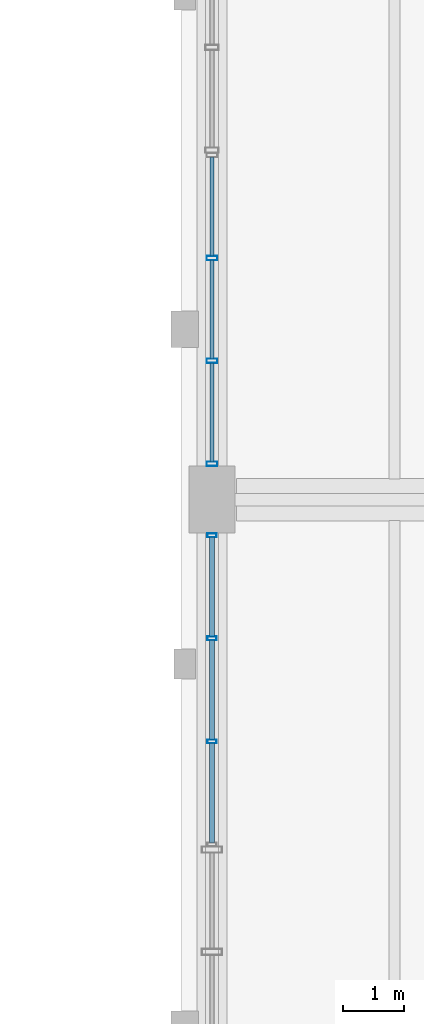
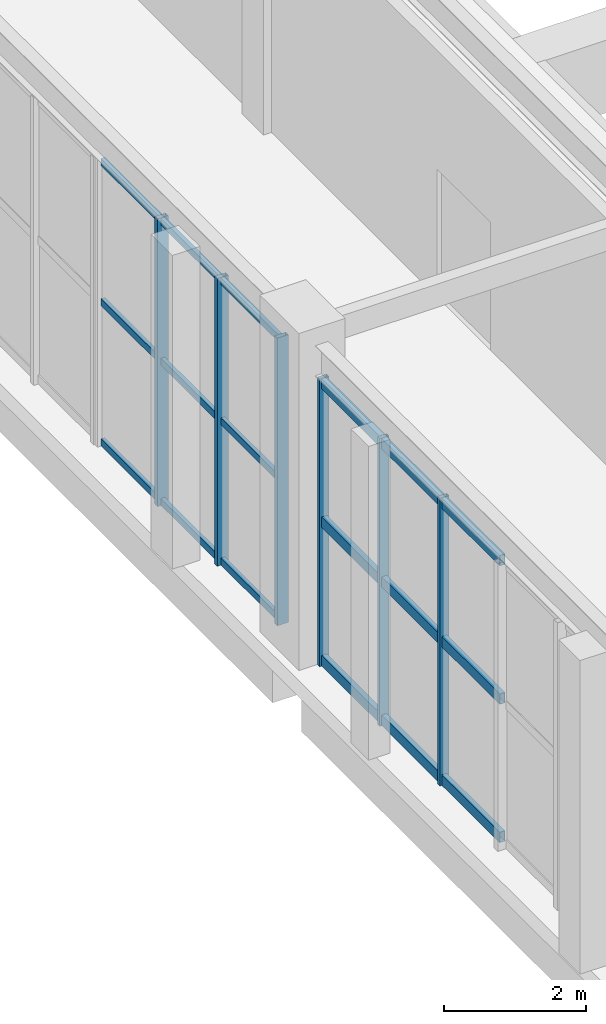
# One storey, part 54 of 113: 24 members, 2 elements without a shape of their own.
"""IFC4 building model written with IfcOpenShell, lengths in metres."""

from ifc_helpers import new_model, si_unit, direction, frame, origin, origin_2d, place, context, subcontext, project, spatial, hollow_rectangle, extrude, material, layer, layer_set, material_profile, profile_set, type_object, element, aggregate, save


model = new_model("IFC4")

# Units and contexts
model_context = context("Model", 3, precision=1e-05, world=origin(), true_north=direction((0.0, 1.0)))
body_context = subcontext(model_context, "Body", "Model", "MODEL_VIEW")
ifc_project = project(units=[si_unit("LENGTHUNIT", "METRE"), si_unit("AREAUNIT", "SQUARE_METRE"), si_unit("VOLUMEUNIT", "CUBIC_METRE"), si_unit("PLANEANGLEUNIT", "RADIAN"), si_unit("MASSUNIT", "GRAM", prefix="KILO"), si_unit("POWERUNIT", "WATT"), si_unit("THERMODYNAMICTEMPERATUREUNIT", "KELVIN")], contexts=[model_context])

# Site, building, storey
site_placement = place(None, origin())
site = spatial("IfcSite", under=ifc_project, at=site_placement, CompositionType="ELEMENT")
building_placement = place(site_placement, origin())
building = spatial("IfcBuilding", under=site, at=building_placement, Name="Kelmbourne Parkland Aquatics Centre", CompositionType="ELEMENT")
storey_placement = place(building_placement, origin())
storey = spatial("IfcBuildingStorey", under=building, at=storey_placement, Name="L00", CompositionType="ELEMENT", Elevation=0.0)

# Curtain wall, members
ifc_material = material(Name="Thermally broken anodised aluminium framing", Category="aluminium")
ifc_layer_1 = layer(ifc_material, 0.179931640625)
ifc_layer_set_1 = layer_set([ifc_layer_1], Name="Thermally broken anodised aluminium framing")
curtain_wall_type_1 = type_object("IfcCurtainWallType", Name="CW-17", PredefinedType="NOTDEFINED", material=ifc_layer_set_1)
curtain_wall_1_placement = place(storey_placement, origin())
curtain_wall_1 = element("IfcCurtainWall", 1, at=curtain_wall_1_placement, inside=storey, type_object=curtain_wall_type_1, Name="Facade curtain wall CW-L00-185", PredefinedType="NOTDEFINED")
ifc_material_profile_1 = material_profile(ifc_material, hollow_rectangle(XDim=0.06494140625, YDim=0.14990234375, WallThickness=0.00390625, at=origin_2d()), Name="CW-M 65x150")
ifc_profile_set_1 = profile_set([ifc_material_profile_1], Name="Thermally broken anodised aluminium framing")
member_type_1 = type_object("IfcMemberType", Name="MB-MUL-1", PredefinedType="MULLION", material=ifc_profile_set_1)
member_1_placement = place(storey_placement, frame((96.0, 65.226806640625, 0.0), z_axis=(0.0, 0.0, 1.0), x_axis=(0.0, 1.0, 0.0)))
member_1 = element("IfcMember", 2, at=member_1_placement, type_object=member_type_1, Name="CW-L00-185 mullion 1", PredefinedType="MULLION", context=body_context, shape_type="SweptSolid", body=[
    extrude(hollow_rectangle(XDim=0.06494140625, YDim=0.14990234375, WallThickness=0.00390625, at=origin_2d()), origin(), (0.0, 0.0, 1.0), 4.951904296875),
])
member_2_placement = place(storey_placement, frame((96.0, 66.921142578125, 0.0), z_axis=(0.0, 0.0, 1.0), x_axis=(0.0, 1.0, 0.0)))
member_2 = element("IfcMember", 3, at=member_2_placement, type_object=member_type_1, Name="CW-L00-185 mullion 2", PredefinedType="MULLION", context=body_context, shape_type="SweptSolid", body=[
    extrude(hollow_rectangle(XDim=0.06494140625, YDim=0.14990234375, WallThickness=0.00390625, at=origin_2d()), origin(), (0.0, 0.0, 1.0), 4.951904296875),
])
member_3_placement = place(storey_placement, frame((96.0, 68.615478515625, 0.0), z_axis=(0.0, 0.0, 1.0), x_axis=(0.0, 1.0, 0.0)))
member_3 = element("IfcMember", 4, at=member_3_placement, type_object=member_type_1, Name="CW-L00-185 mullion 3", PredefinedType="MULLION", context=body_context, shape_type="SweptSolid", body=[
    extrude(hollow_rectangle(XDim=0.06494140625, YDim=0.14990234375, WallThickness=0.00390625, at=origin_2d()), origin(), (0.0, 0.0, 1.0), 4.951904296875),
])

ifc_layer_2 = layer(ifc_material, 0.179931640625)
ifc_layer_set_2 = layer_set([ifc_layer_2], Name="Thermally broken anodised aluminium framing")
curtain_wall_type_2 = type_object("IfcCurtainWallType", Name="CW-18", PredefinedType="NOTDEFINED", material=ifc_layer_set_2)
curtain_wall_2_placement = place(storey_placement, origin())
curtain_wall_2 = element("IfcCurtainWall", 5, at=curtain_wall_2_placement, inside=storey, type_object=curtain_wall_type_2, Name="Facade curtain wall CW-L00-186", PredefinedType="NOTDEFINED")
ifc_material_profile_2 = material_profile(ifc_material, hollow_rectangle(XDim=0.074951171875, YDim=0.179931640625, WallThickness=0.00439453125, at=origin_2d()), Name="CW-M 75x180")
ifc_profile_set_2 = profile_set([ifc_material_profile_2], Name="Thermally broken anodised aluminium framing")
member_type_2 = type_object("IfcMemberType", Name="MB-MUL-2", PredefinedType="MULLION", material=ifc_profile_set_2)
member_4_placement = place(storey_placement, frame((96.0, 69.78955078125, 0.0), z_axis=(0.0, 0.0, 1.0), x_axis=(0.0, 1.0, 0.0)))
member_4 = element("IfcMember", 6, at=member_4_placement, type_object=member_type_2, Name="CW-L00-186 mullion 0", PredefinedType="MULLION", context=body_context, shape_type="SweptSolid", body=[
    extrude(hollow_rectangle(XDim=0.074951171875, YDim=0.179931640625, WallThickness=0.00439453125, at=origin_2d()), origin(), (0.0, 0.0, 1.0), 4.951904296875),
])
member_5_placement = place(storey_placement, frame((96.0, 71.48046875, 0.0), z_axis=(0.0, 0.0, 1.0), x_axis=(0.0, 1.0, 0.0)))
member_5 = element("IfcMember", 7, at=member_5_placement, type_object=member_type_2, Name="CW-L00-186 mullion 1", PredefinedType="MULLION", context=body_context, shape_type="SweptSolid", body=[
    extrude(hollow_rectangle(XDim=0.074951171875, YDim=0.179931640625, WallThickness=0.00439453125, at=origin_2d()), origin(), (0.0, 0.0, 1.0), 4.951904296875),
])
member_6_placement = place(storey_placement, frame((96.0, 73.17138671875, 0.0), z_axis=(0.0, 0.0, 1.0), x_axis=(0.0, 1.0, 0.0)))
member_6 = element("IfcMember", 8, at=member_6_placement, type_object=member_type_2, Name="CW-L00-186 mullion 2", PredefinedType="MULLION", context=body_context, shape_type="SweptSolid", body=[
    extrude(hollow_rectangle(XDim=0.074951171875, YDim=0.179931640625, WallThickness=0.00439453125, at=origin_2d()), origin(), (0.0, 0.0, 1.0), 4.951904296875),
])
ifc_material_profile_3 = material_profile(ifc_material, hollow_rectangle(XDim=0.06494140625, YDim=0.1201171875, WallThickness=0.00341796875, at=origin_2d()), Name="CW-T 65x120")
ifc_profile_set_3 = profile_set([ifc_material_profile_3], Name="Thermally broken anodised aluminium framing")
member_type_3 = type_object("IfcMemberType", Name="MB-TRN-1", PredefinedType="USERDEFINED", material=ifc_profile_set_3)
member_7_placement = place(storey_placement, frame((96.0, 69.822998046875, 0.06298828125), z_axis=(0.0, 1.0, 0.0), x_axis=(-1.0, 0.0, 0.0)))
member_7 = element("IfcMember", 9, at=member_7_placement, type_object=member_type_3, Name="CW-L00-186 transom 0-0", ObjectType="TRANSOM", PredefinedType="USERDEFINED", context=body_context, shape_type="SweptSolid", body=[
    extrude(hollow_rectangle(XDim=0.06494140625, YDim=0.1201171875, WallThickness=0.00341796875, at=origin_2d()), origin(), (0.0, 0.0, 1.0), 1.6240234375),
])
member_8_placement = place(storey_placement, frame((96.0, 71.513916015625, 0.06298828125), z_axis=(0.0, 1.0, 0.0), x_axis=(-1.0, 0.0, 0.0)))
member_8 = element("IfcMember", 10, at=member_8_placement, type_object=member_type_3, Name="CW-L00-186 transom 0-1", ObjectType="TRANSOM", PredefinedType="USERDEFINED", context=body_context, shape_type="SweptSolid", body=[
    extrude(hollow_rectangle(XDim=0.06494140625, YDim=0.1201171875, WallThickness=0.00341796875, at=origin_2d()), origin(), (0.0, 0.0, 1.0), 1.6240234375),
])
member_9_placement = place(storey_placement, frame((96.0, 73.205078125, 0.06298828125), z_axis=(0.0, 1.0, 0.0), x_axis=(-1.0, 0.0, 0.0)))
member_9 = element("IfcMember", 11, at=member_9_placement, type_object=member_type_3, Name="CW-L00-186 transom 0-2", ObjectType="TRANSOM", PredefinedType="USERDEFINED", context=body_context, shape_type="SweptSolid", body=[
    extrude(hollow_rectangle(XDim=0.06494140625, YDim=0.1201171875, WallThickness=0.00341796875, at=origin_2d()), origin(), (0.0, 0.0, 1.0), 1.6240234375),
])
member_10_placement = place(storey_placement, frame((96.0, 69.822998046875, 2.47607421875), z_axis=(0.0, 1.0, 0.0), x_axis=(-1.0, 0.0, 0.0)))
member_10 = element("IfcMember", 12, at=member_10_placement, type_object=member_type_3, Name="CW-L00-186 transom 1-0", ObjectType="TRANSOM", PredefinedType="USERDEFINED", context=body_context, shape_type="SweptSolid", body=[
    extrude(hollow_rectangle(XDim=0.06494140625, YDim=0.1201171875, WallThickness=0.00341796875, at=origin_2d()), origin(), (0.0, 0.0, 1.0), 1.6240234375),
])
member_11_placement = place(storey_placement, frame((96.0, 71.513916015625, 2.47607421875), z_axis=(0.0, 1.0, 0.0), x_axis=(-1.0, 0.0, 0.0)))
member_11 = element("IfcMember", 13, at=member_11_placement, type_object=member_type_3, Name="CW-L00-186 transom 1-1", ObjectType="TRANSOM", PredefinedType="USERDEFINED", context=body_context, shape_type="SweptSolid", body=[
    extrude(hollow_rectangle(XDim=0.06494140625, YDim=0.1201171875, WallThickness=0.00341796875, at=origin_2d()), origin(), (0.0, 0.0, 1.0), 1.6240234375),
])
member_12_placement = place(storey_placement, frame((96.0, 73.205078125, 2.47607421875), z_axis=(0.0, 1.0, 0.0), x_axis=(-1.0, 0.0, 0.0)))
member_12 = element("IfcMember", 14, at=member_12_placement, type_object=member_type_3, Name="CW-L00-186 transom 1-2", ObjectType="TRANSOM", PredefinedType="USERDEFINED", context=body_context, shape_type="SweptSolid", body=[
    extrude(hollow_rectangle(XDim=0.06494140625, YDim=0.1201171875, WallThickness=0.00341796875, at=origin_2d()), origin(), (0.0, 0.0, 1.0), 1.6240234375),
])
member_13_placement = place(storey_placement, frame((96.0, 69.822998046875, 4.888916015625), z_axis=(0.0, 1.0, 0.0), x_axis=(-1.0, 0.0, 0.0)))
member_13 = element("IfcMember", 15, at=member_13_placement, type_object=member_type_3, Name="CW-L00-186 transom 2-0", ObjectType="TRANSOM", PredefinedType="USERDEFINED", context=body_context, shape_type="SweptSolid", body=[
    extrude(hollow_rectangle(XDim=0.06494140625, YDim=0.1201171875, WallThickness=0.00341796875, at=origin_2d()), origin(), (0.0, 0.0, 1.0), 1.6240234375),
])
member_14_placement = place(storey_placement, frame((96.0, 71.513916015625, 4.888916015625), z_axis=(0.0, 1.0, 0.0), x_axis=(-1.0, 0.0, 0.0)))
member_14 = element("IfcMember", 16, at=member_14_placement, type_object=member_type_3, Name="CW-L00-186 transom 2-1", ObjectType="TRANSOM", PredefinedType="USERDEFINED", context=body_context, shape_type="SweptSolid", body=[
    extrude(hollow_rectangle(XDim=0.06494140625, YDim=0.1201171875, WallThickness=0.00341796875, at=origin_2d()), origin(), (0.0, 0.0, 1.0), 1.6240234375),
])
member_15_placement = place(storey_placement, frame((96.0, 73.205078125, 4.888916015625), z_axis=(0.0, 1.0, 0.0), x_axis=(-1.0, 0.0, 0.0)))
member_15 = element("IfcMember", 17, at=member_15_placement, type_object=member_type_3, Name="CW-L00-186 transom 2-2", ObjectType="TRANSOM", PredefinedType="USERDEFINED", context=body_context, shape_type="SweptSolid", body=[
    extrude(hollow_rectangle(XDim=0.06494140625, YDim=0.1201171875, WallThickness=0.00341796875, at=origin_2d()), origin(), (0.0, 0.0, 1.0), 1.6240234375),
])
aggregate(curtain_wall_2, [member_4, member_5, member_6, member_7, member_8, member_9, member_10, member_11, member_12, member_13, member_14, member_15])

# Member
ifc_material_profile_4 = material_profile(ifc_material, hollow_rectangle(XDim=0.0849609375, YDim=0.179931640625, WallThickness=0.00439453125, at=origin_2d()), Name="CW-T 85x180")
ifc_profile_set_4 = profile_set([ifc_material_profile_4], Name="Thermally broken anodised aluminium framing")
member_type_4 = type_object("IfcMemberType", Name="MB-TRN-3", PredefinedType="USERDEFINED", material=ifc_profile_set_4)
member_16_placement = place(storey_placement, frame((96.0, 63.56103515625, 0.093017578125), z_axis=(0.0, 1.0, 0.0), x_axis=(-1.0, 0.0, 0.0)))
member_16 = element("IfcMember", 18, at=member_16_placement, type_object=member_type_4, Name="CW-L00-185 transom 0-0", ObjectType="TRANSOM", PredefinedType="USERDEFINED", context=body_context, shape_type="SweptSolid", body=[
    extrude(hollow_rectangle(XDim=0.0849609375, YDim=0.179931640625, WallThickness=0.00439453125, at=origin_2d()), origin(), (0.0, 0.0, 1.0), 1.63720703125),
])

member_17_placement = place(storey_placement, frame((96.0, 65.25537109375, 0.093017578125), z_axis=(0.0, 1.0, 0.0), x_axis=(-1.0, 0.0, 0.0)))
member_17 = element("IfcMember", 19, at=member_17_placement, type_object=member_type_4, Name="CW-L00-185 transom 0-1", ObjectType="TRANSOM", PredefinedType="USERDEFINED", context=body_context, shape_type="SweptSolid", body=[
    extrude(hollow_rectangle(XDim=0.0849609375, YDim=0.179931640625, WallThickness=0.00439453125, at=origin_2d()), origin(), (0.0, 0.0, 1.0), 1.63720703125),
])

member_18_placement = place(storey_placement, frame((96.0, 66.94970703125, 0.093017578125), z_axis=(0.0, 1.0, 0.0), x_axis=(-1.0, 0.0, 0.0)))
member_18 = element("IfcMember", 20, at=member_18_placement, type_object=member_type_4, Name="CW-L00-185 transom 0-2", ObjectType="TRANSOM", PredefinedType="USERDEFINED", context=body_context, shape_type="SweptSolid", body=[
    extrude(hollow_rectangle(XDim=0.0849609375, YDim=0.179931640625, WallThickness=0.00439453125, at=origin_2d()), origin(), (0.0, 0.0, 1.0), 1.63720703125),
])

member_19_placement = place(storey_placement, frame((96.0, 63.56103515625, 2.47607421875), z_axis=(0.0, 1.0, 0.0), x_axis=(-1.0, 0.0, 0.0)))
member_19 = element("IfcMember", 21, at=member_19_placement, type_object=member_type_4, Name="CW-L00-185 transom 1-0", ObjectType="TRANSOM", PredefinedType="USERDEFINED", context=body_context, shape_type="SweptSolid", body=[
    extrude(hollow_rectangle(XDim=0.0849609375, YDim=0.179931640625, WallThickness=0.00439453125, at=origin_2d()), origin(), (0.0, 0.0, 1.0), 1.63720703125),
])

member_20_placement = place(storey_placement, frame((96.0, 65.25537109375, 2.47607421875), z_axis=(0.0, 1.0, 0.0), x_axis=(-1.0, 0.0, 0.0)))
member_20 = element("IfcMember", 22, at=member_20_placement, type_object=member_type_4, Name="CW-L00-185 transom 1-1", ObjectType="TRANSOM", PredefinedType="USERDEFINED", context=body_context, shape_type="SweptSolid", body=[
    extrude(hollow_rectangle(XDim=0.0849609375, YDim=0.179931640625, WallThickness=0.00439453125, at=origin_2d()), origin(), (0.0, 0.0, 1.0), 1.63720703125),
])

member_21_placement = place(storey_placement, frame((96.0, 66.94970703125, 2.47607421875), z_axis=(0.0, 1.0, 0.0), x_axis=(-1.0, 0.0, 0.0)))
member_21 = element("IfcMember", 23, at=member_21_placement, type_object=member_type_4, Name="CW-L00-185 transom 1-2", ObjectType="TRANSOM", PredefinedType="USERDEFINED", context=body_context, shape_type="SweptSolid", body=[
    extrude(hollow_rectangle(XDim=0.0849609375, YDim=0.179931640625, WallThickness=0.00439453125, at=origin_2d()), origin(), (0.0, 0.0, 1.0), 1.63720703125),
])

member_22_placement = place(storey_placement, frame((96.0, 63.56103515625, 4.85888671875), z_axis=(0.0, 1.0, 0.0), x_axis=(-1.0, 0.0, 0.0)))
member_22 = element("IfcMember", 24, at=member_22_placement, type_object=member_type_4, Name="CW-L00-185 transom 2-0", ObjectType="TRANSOM", PredefinedType="USERDEFINED", context=body_context, shape_type="SweptSolid", body=[
    extrude(hollow_rectangle(XDim=0.0849609375, YDim=0.179931640625, WallThickness=0.00439453125, at=origin_2d()), origin(), (0.0, 0.0, 1.0), 1.63720703125),
])

member_23_placement = place(storey_placement, frame((96.0, 65.25537109375, 4.85888671875), z_axis=(0.0, 1.0, 0.0), x_axis=(-1.0, 0.0, 0.0)))
member_23 = element("IfcMember", 25, at=member_23_placement, type_object=member_type_4, Name="CW-L00-185 transom 2-1", ObjectType="TRANSOM", PredefinedType="USERDEFINED", context=body_context, shape_type="SweptSolid", body=[
    extrude(hollow_rectangle(XDim=0.0849609375, YDim=0.179931640625, WallThickness=0.00439453125, at=origin_2d()), origin(), (0.0, 0.0, 1.0), 1.63720703125),
])

member_24_placement = place(storey_placement, frame((96.0, 66.94970703125, 4.85888671875), z_axis=(0.0, 1.0, 0.0), x_axis=(-1.0, 0.0, 0.0)))
member_24 = element("IfcMember", 26, at=member_24_placement, type_object=member_type_4, Name="CW-L00-185 transom 2-2", ObjectType="TRANSOM", PredefinedType="USERDEFINED", context=body_context, shape_type="SweptSolid", body=[
    extrude(hollow_rectangle(XDim=0.0849609375, YDim=0.179931640625, WallThickness=0.00439453125, at=origin_2d()), origin(), (0.0, 0.0, 1.0), 1.63720703125),
])

aggregate(curtain_wall_1, [member_1, member_2, member_3, member_16, member_17, member_18, member_19, member_20, member_21, member_22, member_23, member_24])

save(model, "model.ifc")
